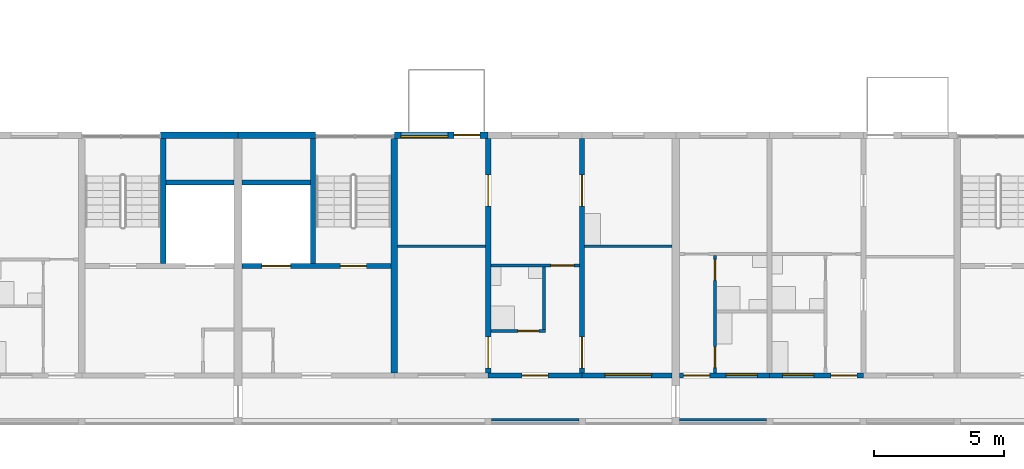
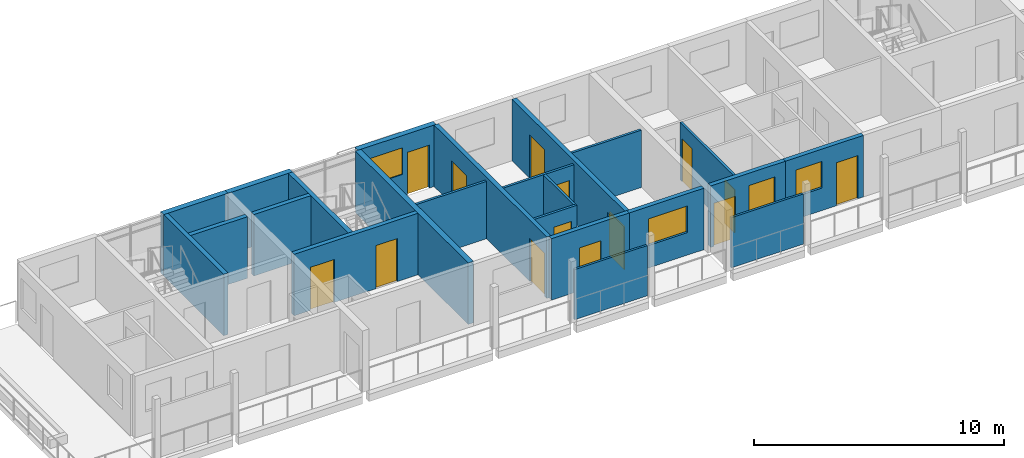
# One storey, part 41 of 78: 23 walls, 14 doors, 4 windows, 18 openings.
"""IFC4 building model written with IfcOpenShell, lengths in metres."""

from ifc_helpers import new_model, si_unit, direction, frame, frame_2d, origin, place, context, subcontext, project, spatial, rectangle, extrude, material, layer, layer_set, type_object, element, fill, save


model = new_model("IFC4")

# Units and contexts
model_context = context("Model", 3, precision=1e-05, world=origin(), true_north=direction((0.0, 1.0)))
body_context = subcontext(model_context, "Body", "Model", "MODEL_VIEW")
ifc_project = project(units=[si_unit("LENGTHUNIT", "METRE"), si_unit("AREAUNIT", "SQUARE_METRE"), si_unit("VOLUMEUNIT", "CUBIC_METRE"), si_unit("PLANEANGLEUNIT", "RADIAN"), si_unit("MASSUNIT", "GRAM", prefix="KILO")], contexts=[model_context])

# Site, building, storey
site_placement = place(None, origin())
site = spatial("IfcSite", under=ifc_project, at=site_placement, CompositionType="ELEMENT")
building_placement = place(site_placement, origin())
building = spatial("IfcBuilding", under=site, at=building_placement, Name="Ridgestep Commons", CompositionType="ELEMENT")
storey_placement = place(building_placement, frame((0.0, 0.0, 30.0)))
storey = spatial("IfcBuildingStorey", under=building, at=storey_placement, Name="L10", CompositionType="ELEMENT", Elevation=30.0)

# Walls
ifc_material_1 = material(Name="Concrete C30/37", Category="concrete")
ifc_layer_1 = layer(ifc_material_1, 0.25)
ifc_layer_set_1 = layer_set([ifc_layer_1], Name="Core cross wall 250")
wall_type_1 = type_object("IfcWallType", Name="Core cross wall 250", PredefinedType="SHEAR", material=ifc_layer_set_1)
wall_1_placement = place(storey_placement, frame((169.60009765625, 13.75, 0.0), z_axis=(0.0, 0.0, 1.0), x_axis=(0.0, 1.0, 0.0)))
element("IfcWall", 1, at=wall_1_placement, inside=storey, type_object=wall_type_1, Name="Cross wall D-10-1696", PredefinedType="SHEAR", context=body_context, shape_type="SweptSolid", body=[
    extrude(rectangle(XDim=9.0, YDim=0.25, at=frame_2d((4.5, 0.0))), origin(), (0.0, 0.0, 1.0), 3.0),
])
ifc_material_2 = material(Name="Concrete C30/37", Category="concrete")
ifc_layer_2 = layer(ifc_material_2, 0.199951171875)
ifc_layer_set_2 = layer_set([ifc_layer_2], Name="Core wall 200")
wall_type_2 = type_object("IfcWallType", Name="Core wall 200", PredefinedType="SHEAR", material=ifc_layer_set_2)
wall_2_placement = place(storey_placement, frame((160.72509765625, 17.949951171875, 0.0), z_axis=(0.0, 0.0, 1.0), x_axis=(0.0, 1.0, 0.0)))
element("IfcWall", 2, at=wall_2_placement, inside=storey, type_object=wall_type_2, Name="Core stair wall D1C L10", PredefinedType="SHEAR", context=body_context, shape_type="SweptSolid", body=[
    extrude(rectangle(XDim=4.800048828125, YDim=0.199951171875, at=frame_2d((2.39990234375, 0.0))), origin(), (0.0, 0.0, 1.0), 3.0),
])
wall_3_placement = place(storey_placement, frame((160.824951171875, 21.050048828125, 0.0), z_axis=(0.0, 0.0, 1.0), x_axis=(1.0, 0.0, 0.0)))
element("IfcWall", 3, at=wall_3_placement, inside=storey, type_object=wall_type_2, Name="Core duct wall D1C L10", PredefinedType="SHEAR", context=body_context, shape_type="SweptSolid", body=[
    extrude(rectangle(XDim=2.625, YDim=0.199951171875, at=frame_2d((1.3125, 0.0))), origin(), (0.0, 0.0, 1.0), 3.0),
])

# Wall, openings, doors
wall_4_placement = place(storey_placement, frame((163.75, 17.85009765625, 0.0), z_axis=(0.0, 0.0, 1.0), x_axis=(1.0, 0.0, 0.0)))
wall_4 = element("IfcWall", 4, at=wall_4_placement, inside=storey, type_object=wall_type_2, Name="Core lobby wall D2C L10", PredefinedType="SHEAR", context=body_context, shape_type="SweptSolid", body=[
    extrude(rectangle(XDim=5.72509765625, YDim=0.199951171875, at=frame_2d((2.862548828125, 0.0))), origin(), (0.0, 0.0, 1.0), 3.0),
])
opening_1_placement = place(wall_4_placement, frame((3.77490234375, 0.0, 0.0)))
opening_1 = element("IfcOpeningElement", 5, at=opening_1_placement, cuts=wall_4, Name="Opening D2C/10/2", PredefinedType="OPENING", context=body_context, shape_type="SweptSolid", body=[
    extrude(rectangle(XDim=1.0, YDim=2.10009765625, at=frame_2d((0.5, 1.050048828125))), frame((0.0, 0.10986328125, 0.0), z_axis=(0.0, -1.0, 0.0), x_axis=(1.0, 0.0, 0.0)), (0.0, 0.0, 1.0), 0.219970703125),
])
opening_2_placement = place(wall_4_placement, frame((0.762451171875, 0.0, 0.0)))
opening_2 = element("IfcOpeningElement", 6, at=opening_2_placement, cuts=wall_4, Name="Opening D2C/10/3", PredefinedType="OPENING", context=body_context, shape_type="SweptSolid", body=[
    extrude(rectangle(XDim=1.10009765625, YDim=2.10009765625, at=frame_2d((0.550048828125, 1.050048828125))), frame((0.0, 0.10986328125, 0.0), z_axis=(0.0, -1.0, 0.0), x_axis=(1.0, 0.0, 0.0)), (0.0, 0.0, 1.0), 0.219970703125),
])
ifc_material_3 = material(Name="Stainless steel", Category="steel")
door_type_1 = type_object("IfcDoorType", Name="Lift landing door 1100 x 2100 FD60", OperationType="DOUBLE_DOOR_SLIDING", PredefinedType="DOOR", material=ifc_material_3)
door_1_placement = place(opening_2_placement, origin())
door_1 = element("IfcDoor", 7, at=door_1_placement, inside=storey, type_object=door_type_1, Name="Landing door LD D2C L10", OperationType="DOUBLE_DOOR_SLIDING", OverallHeight=2.10009765625, OverallWidth=1.10009765625, PredefinedType="DOOR", context=body_context, shape_type="SweptSolid", body=[
    extrude(rectangle(XDim=1.10009765625, YDim=2.10009765625, at=frame_2d((0.550048828125, 1.050048828125))), frame((0.0, 0.02490234375, 0.0), z_axis=(0.0, -1.0, 0.0), x_axis=(1.0, 0.0, 0.0)), (0.0, 0.0, 1.0), 0.050048828125),
])
fill(opening_2, door_1)
ifc_material_4 = material(Name="Steel fire door", Category="steel")
door_type_2 = type_object("IfcDoorType", Name="Stair door 1000 x 2100 FD60", OperationType="NOTDEFINED", PredefinedType="DOOR", material=ifc_material_4)
door_2_placement = place(opening_1_placement, origin())
door_2 = element("IfcDoor", 8, at=door_2_placement, inside=storey, type_object=door_type_2, Name="Stair door D2C/10/2", OperationType="SINGLE_SWING_RIGHT", OverallHeight=2.10009765625, OverallWidth=1.0, PredefinedType="DOOR", context=body_context, shape_type="SweptSolid", body=[
    extrude(rectangle(XDim=1.0, YDim=2.10009765625, at=frame_2d((0.5, 1.050048828125))), frame((0.0, 0.02490234375, 0.0), z_axis=(0.0, -1.0, 0.0), x_axis=(1.0, 0.0, 0.0)), (0.0, 0.0, 1.0), 0.050048828125),
])
fill(opening_1, door_2)

# Walls
wall_5_placement = place(storey_placement, frame((166.47509765625, 17.949951171875, 0.0), z_axis=(0.0, 0.0, 1.0), x_axis=(0.0, 1.0, 0.0)))
element("IfcWall", 9, at=wall_5_placement, inside=storey, type_object=wall_type_2, Name="Core stair wall D2C L10", PredefinedType="SHEAR", context=body_context, shape_type="SweptSolid", body=[
    extrude(rectangle(XDim=4.800048828125, YDim=0.199951171875, at=frame_2d((2.39990234375, 0.0))), origin(), (0.0, 0.0, 1.0), 3.0),
])
wall_6_placement = place(storey_placement, frame((163.75, 21.050048828125, 0.0), z_axis=(0.0, 0.0, 1.0), x_axis=(1.0, 0.0, 0.0)))
element("IfcWall", 10, at=wall_6_placement, inside=storey, type_object=wall_type_2, Name="Core duct wall D2C L10", PredefinedType="SHEAR", context=body_context, shape_type="SweptSolid", body=[
    extrude(rectangle(XDim=2.625, YDim=0.199951171875, at=frame_2d((1.3125, 0.0))), origin(), (0.0, 0.0, 1.0), 3.0),
])

# Wall, openings, doors
ifc_material_5 = material(Name="Precast concrete C40/50", Category="concrete")
ifc_layer_3 = layer(ifc_material_5, 0.199951171875)
ifc_layer_set_3 = layer_set([ifc_layer_3], Name="Cross wall 200")
wall_type_3 = type_object("IfcWallType", Name="Cross wall 200", PredefinedType="SHEAR", material=ifc_layer_set_3)
wall_7_placement = place(storey_placement, frame((173.199951171875, 13.75, 0.0), z_axis=(0.0, 0.0, 1.0), x_axis=(0.0, 1.0, 0.0)))
wall_7 = element("IfcWall", 11, at=wall_7_placement, inside=storey, type_object=wall_type_3, Name="Cross wall D-10-1732", PredefinedType="SHEAR", context=body_context, shape_type="SweptSolid", body=[
    extrude(rectangle(XDim=9.0, YDim=0.199951171875, at=frame_2d((4.5, 0.0))), origin(), (0.0, 0.0, 1.0), 3.0),
])
opening_3_placement = place(wall_7_placement, frame((0.175048828125, 0.0, 0.0)))
opening_3 = element("IfcOpeningElement", 12, at=opening_3_placement, cuts=wall_7, Name="Opening D2-10a/4", PredefinedType="OPENING", context=body_context, shape_type="SweptSolid", body=[
    extrude(rectangle(XDim=1.199951171875, YDim=2.10009765625, at=frame_2d((0.60009765625, 1.050048828125))), frame((0.0, 0.10986328125, 0.0), z_axis=(0.0, -1.0, 0.0), x_axis=(1.0, 0.0, 0.0)), (0.0, 0.0, 1.0), 0.219970703125),
])
opening_4_placement = place(wall_7_placement, frame((6.39990234375, 0.0, 0.0)))
opening_4 = element("IfcOpeningElement", 13, at=opening_4_placement, cuts=wall_7, Name="Opening D2-10a/5", PredefinedType="OPENING", context=body_context, shape_type="SweptSolid", body=[
    extrude(rectangle(XDim=1.199951171875, YDim=2.10009765625, at=frame_2d((0.60009765625, 1.050048828125))), frame((0.0, 0.10986328125, 0.0), z_axis=(0.0, -1.0, 0.0), x_axis=(1.0, 0.0, 0.0)), (0.0, 0.0, 1.0), 0.219970703125),
])
ifc_material_6 = material(Name="Timber door leaf", Category="wood")
door_type_3 = type_object("IfcDoorType", Name="Double door 1200 x 2100", OperationType="DOUBLE_DOOR_SINGLE_SWING", PredefinedType="DOOR", material=ifc_material_6)
door_3_placement = place(opening_3_placement, origin())
door_3 = element("IfcDoor", 14, at=door_3_placement, inside=storey, type_object=door_type_3, Name="Double door D2-10a/4", OperationType="DOUBLE_DOOR_SINGLE_SWING", OverallHeight=2.10009765625, OverallWidth=1.199951171875, PredefinedType="DOOR", context=body_context, shape_type="SweptSolid", body=[
    extrude(rectangle(XDim=1.199951171875, YDim=2.10009765625, at=frame_2d((0.60009765625, 1.050048828125))), frame((0.0, 0.02490234375, 0.0), z_axis=(0.0, -1.0, 0.0), x_axis=(1.0, 0.0, 0.0)), (0.0, 0.0, 1.0), 0.050048828125),
])
fill(opening_3, door_3)
door_4_placement = place(opening_4_placement, origin())
door_4 = element("IfcDoor", 15, at=door_4_placement, inside=storey, type_object=door_type_3, Name="Double door D2-10a/5", OperationType="DOUBLE_DOOR_SINGLE_SWING", OverallHeight=2.10009765625, OverallWidth=1.199951171875, PredefinedType="DOOR", context=body_context, shape_type="SweptSolid", body=[
    extrude(rectangle(XDim=1.199951171875, YDim=2.10009765625, at=frame_2d((0.60009765625, 1.050048828125))), frame((0.0, 0.02490234375, 0.0), z_axis=(0.0, -1.0, 0.0), x_axis=(1.0, 0.0, 0.0)), (0.0, 0.0, 1.0), 0.050048828125),
])
fill(opening_4, door_4)

wall_8_placement = place(storey_placement, frame((176.800048828125, 13.75, 0.0), z_axis=(0.0, 0.0, 1.0), x_axis=(0.0, 1.0, 0.0)))
wall_8 = element("IfcWall", 16, at=wall_8_placement, inside=storey, type_object=wall_type_3, Name="Cross wall D-10-1768", PredefinedType="SHEAR", context=body_context, shape_type="SweptSolid", body=[
    extrude(rectangle(XDim=9.0, YDim=0.199951171875, at=frame_2d((4.5, 0.0))), origin(), (0.0, 0.0, 1.0), 3.0),
])
opening_5_placement = place(wall_8_placement, frame((0.175048828125, 0.0, 0.0)))
opening_5 = element("IfcOpeningElement", 17, at=opening_5_placement, cuts=wall_8, Name="Opening D2-10a/6", PredefinedType="OPENING", context=body_context, shape_type="SweptSolid", body=[
    extrude(rectangle(XDim=1.199951171875, YDim=2.10009765625, at=frame_2d((0.60009765625, 1.050048828125))), frame((0.0, 0.10986328125, 0.0), z_axis=(0.0, -1.0, 0.0), x_axis=(1.0, 0.0, 0.0)), (0.0, 0.0, 1.0), 0.219970703125),
])
opening_6_placement = place(wall_8_placement, frame((6.39990234375, 0.0, 0.0)))
opening_6 = element("IfcOpeningElement", 18, at=opening_6_placement, cuts=wall_8, Name="Opening D2-10a/7", PredefinedType="OPENING", context=body_context, shape_type="SweptSolid", body=[
    extrude(rectangle(XDim=1.199951171875, YDim=2.10009765625, at=frame_2d((0.60009765625, 1.050048828125))), frame((0.0, 0.10986328125, 0.0), z_axis=(0.0, -1.0, 0.0), x_axis=(1.0, 0.0, 0.0)), (0.0, 0.0, 1.0), 0.219970703125),
])
door_5_placement = place(opening_5_placement, origin())
door_5 = element("IfcDoor", 19, at=door_5_placement, inside=storey, type_object=door_type_3, Name="Double door D2-10a/6", OperationType="DOUBLE_DOOR_SINGLE_SWING", OverallHeight=2.10009765625, OverallWidth=1.199951171875, PredefinedType="DOOR", context=body_context, shape_type="SweptSolid", body=[
    extrude(rectangle(XDim=1.199951171875, YDim=2.10009765625, at=frame_2d((0.60009765625, 1.050048828125))), frame((0.0, 0.02490234375, 0.0), z_axis=(0.0, -1.0, 0.0), x_axis=(1.0, 0.0, 0.0)), (0.0, 0.0, 1.0), 0.050048828125),
])
fill(opening_5, door_5)
door_6_placement = place(opening_6_placement, origin())
door_6 = element("IfcDoor", 20, at=door_6_placement, inside=storey, type_object=door_type_3, Name="Double door D2-10a/7", OperationType="DOUBLE_DOOR_SINGLE_SWING", OverallHeight=2.10009765625, OverallWidth=1.199951171875, PredefinedType="DOOR", context=body_context, shape_type="SweptSolid", body=[
    extrude(rectangle(XDim=1.199951171875, YDim=2.10009765625, at=frame_2d((0.60009765625, 1.050048828125))), frame((0.0, 0.02490234375, 0.0), z_axis=(0.0, -1.0, 0.0), x_axis=(1.0, 0.0, 0.0)), (0.0, 0.0, 1.0), 0.050048828125),
])
fill(opening_6, door_6)

# Walls
ifc_material_7 = material(Name="Precast concrete C40/50", Category="concrete")
ifc_layer_4 = layer(ifc_material_7, 0.25)
ifc_layer_set_4 = layer_set([ifc_layer_4], Name="North facade panel 250")
wall_type_4 = type_object("IfcWallType", Name="North facade panel 250", PredefinedType="SOLIDWALL", material=ifc_layer_set_4)
wall_9_placement = place(storey_placement, frame((160.625, 22.875, 0.0), z_axis=(0.0, 0.0, 1.0), x_axis=(1.0, 0.0, 0.0)))
element("IfcWall", 21, at=wall_9_placement, inside=storey, type_object=wall_type_4, Name="North panel D1C L10", PredefinedType="SOLIDWALL", context=body_context, shape_type="SweptSolid", body=[
    extrude(rectangle(XDim=2.97509765625, YDim=0.25, at=frame_2d((1.487548828125, 0.0))), origin(), (0.0, 0.0, 1.0), 3.0),
])
wall_10_placement = place(storey_placement, frame((163.60009765625, 22.875, 0.0), z_axis=(0.0, 0.0, 1.0), x_axis=(1.0, 0.0, 0.0)))
element("IfcWall", 22, at=wall_10_placement, inside=storey, type_object=wall_type_4, Name="North panel D2C L10", PredefinedType="SOLIDWALL", context=body_context, shape_type="SweptSolid", body=[
    extrude(rectangle(XDim=2.974853515625, YDim=0.25, at=frame_2d((1.4873046875, 0.0))), origin(), (0.0, 0.0, 1.0), 3.0),
])

# Wall, openings, door, window
wall_11_placement = place(storey_placement, frame((169.60009765625, 22.875, 0.0), z_axis=(0.0, 0.0, 1.0), x_axis=(1.0, 0.0, 0.0)))
wall_11 = element("IfcWall", 23, at=wall_11_placement, inside=storey, type_object=wall_type_4, Name="North panel D2T3 L10", PredefinedType="SOLIDWALL", context=body_context, shape_type="SweptSolid", body=[
    extrude(rectangle(XDim=3.599853515625, YDim=0.25, at=frame_2d((1.7998046875, 0.0))), origin(), (0.0, 0.0, 1.0), 3.0),
])
opening_7_placement = place(wall_11_placement, frame((0.25244140625, 0.0, 1.10009765625)))
opening_7 = element("IfcOpeningElement", 24, at=opening_7_placement, cuts=wall_11, Name="Opening W18", PredefinedType="OPENING", context=body_context, shape_type="SweptSolid", body=[
    extrude(rectangle(XDim=1.800048828125, YDim=1.300048828125, at=frame_2d((0.89990234375, 0.64990234375))), frame((0.0, 0.135009765625, 0.0), z_axis=(0.0, -1.0, 0.0), x_axis=(1.0, 0.0, 0.0)), (0.0, 0.0, 1.0), 0.27001953125),
])
opening_8_placement = place(wall_11_placement, frame((2.280029296875, 0.0, 0.0)))
opening_8 = element("IfcOpeningElement", 25, at=opening_8_placement, cuts=wall_11, Name="Opening D2-10a/8", PredefinedType="OPENING", context=body_context, shape_type="SweptSolid", body=[
    extrude(rectangle(XDim=1.0, YDim=2.10009765625, at=frame_2d((0.5, 1.050048828125))), frame((0.0, 0.135009765625, 0.0), z_axis=(0.0, -1.0, 0.0), x_axis=(1.0, 0.0, 0.0)), (0.0, 0.0, 1.0), 0.27001953125),
])
ifc_material_8 = material(Name="Aluminium and glass", Category="aluminium")
door_type_4 = type_object("IfcDoorType", Name="Balcony door 1000 x 2100", OperationType="NOTDEFINED", PredefinedType="DOOR", material=ifc_material_8)
door_7_placement = place(opening_8_placement, origin())
door_7 = element("IfcDoor", 26, at=door_7_placement, inside=storey, type_object=door_type_4, Name="Balcony door D2-10a/8", OperationType="SINGLE_SWING_LEFT", OverallHeight=2.10009765625, OverallWidth=1.0, PredefinedType="DOOR", context=body_context, shape_type="SweptSolid", body=[
    extrude(rectangle(XDim=1.0, YDim=2.10009765625, at=frame_2d((0.5, 1.050048828125))), frame((0.0, 0.02490234375, 0.0), z_axis=(0.0, -1.0, 0.0), x_axis=(1.0, 0.0, 0.0)), (0.0, 0.0, 1.0), 0.050048828125),
])
fill(opening_8, door_7)
ifc_material_9 = material(Name="Aluminium 6063-T6 and glass", Category="aluminium")
window_type_1 = type_object("IfcWindowType", Name="Flat window 1800 x 1300", PartitioningType="DOUBLE_PANEL_VERTICAL", PredefinedType="WINDOW", material=ifc_material_9)
window_1_placement = place(opening_7_placement, origin())
window_1 = element("IfcWindow", 27, at=window_1_placement, inside=storey, type_object=window_type_1, Name="Window D2-10a 2", OverallHeight=1.300048828125, OverallWidth=1.800048828125, PartitioningType="SINGLE_PANEL", PredefinedType="WINDOW", context=body_context, shape_type="SweptSolid", body=[
    extrude(rectangle(XDim=1.800048828125, YDim=1.300048828125, at=frame_2d((0.89990234375, 0.64990234375))), frame((0.0, -0.02490234375, 0.0), z_axis=(0.0, -1.0, 0.0), x_axis=(1.0, 0.0, 0.0)), (0.0, 0.0, 1.0), 0.06005859375),
])
fill(opening_7, window_1)

# Wall, opening, door
ifc_material_10 = material(Name="Common brick 110 mm", Category="masonry")
ifc_layer_5 = layer(ifc_material_10, 0.110107421875)
ifc_layer_set_5 = layer_set([ifc_layer_5], Name="Partition 110")
wall_type_5 = type_object("IfcWallType", Name="Partition 110", PredefinedType="PARTITIONING", material=ifc_layer_set_5)
wall_12_placement = place(storey_placement, frame((173.300048828125, 15.35498046875, 0.0), z_axis=(0.0, 0.0, 1.0), x_axis=(1.0, 0.0, 0.0)))
wall_12 = element("IfcWall", 28, at=wall_12_placement, inside=storey, type_object=wall_type_5, Name="Partition D2-10a", PredefinedType="PARTITIONING", context=body_context, shape_type="SweptSolid", body=[
    extrude(rectangle(XDim=2.099853515625, YDim=0.110107421875, at=frame_2d((1.0498046875, 0.0))), origin(), (0.0, 0.0, 1.0), 2.800048828125),
])
opening_9_placement = place(wall_12_placement, frame((1.0400390625, 0.0, 0.0)))
opening_9 = element("IfcOpeningElement", 29, at=opening_9_placement, cuts=wall_12, Name="Opening D2-10a/2", PredefinedType="OPENING", context=body_context, shape_type="SweptSolid", body=[
    extrude(rectangle(XDim=0.800048828125, YDim=2.10009765625, at=frame_2d((0.39990234375, 1.050048828125))), frame((0.0, 0.06494140625, 0.0), z_axis=(0.0, -1.0, 0.0), x_axis=(1.0, 0.0, 0.0)), (0.0, 0.0, 1.0), 0.130126953125),
])
ifc_material_11 = material(Name="Timber door leaf", Category="wood")
door_type_5 = type_object("IfcDoorType", Name="Internal door 800 x 2100", OperationType="NOTDEFINED", PredefinedType="DOOR", material=ifc_material_11)
door_8_placement = place(opening_9_placement, origin())
door_8 = element("IfcDoor", 30, at=door_8_placement, inside=storey, type_object=door_type_5, Name="Internal door D2-10a/2", OperationType="SINGLE_SWING_RIGHT", OverallHeight=2.10009765625, OverallWidth=0.800048828125, PredefinedType="DOOR", context=body_context, shape_type="SweptSolid", body=[
    extrude(rectangle(XDim=0.800048828125, YDim=2.10009765625, at=frame_2d((0.39990234375, 1.050048828125))), frame((0.0, 0.02490234375, 0.0), z_axis=(0.0, -1.0, 0.0), x_axis=(1.0, 0.0, 0.0)), (0.0, 0.0, 1.0), 0.050048828125),
])
fill(opening_9, door_8)

# Wall
wall_13_placement = place(storey_placement, frame((175.344970703125, 15.409912109375, 0.0), z_axis=(0.0, 0.0, 1.0), x_axis=(0.0, 1.0, 0.0)))
element("IfcWall", 31, at=wall_13_placement, inside=storey, type_object=wall_type_5, Name="Partition D2-10a", PredefinedType="PARTITIONING", context=body_context, shape_type="SweptSolid", body=[
    extrude(rectangle(XDim=2.400146484375, YDim=0.110107421875, at=frame_2d((1.2001953125, 0.0))), origin(), (0.0, 0.0, 1.0), 2.800048828125),
])

# Wall, opening, door
wall_14_placement = place(storey_placement, frame((173.300048828125, 17.864990234375, 0.0), z_axis=(0.0, 0.0, 1.0), x_axis=(1.0, 0.0, 0.0)))
wall_14 = element("IfcWall", 32, at=wall_14_placement, inside=storey, type_object=wall_type_5, Name="Partition D2-10a", PredefinedType="PARTITIONING", context=body_context, shape_type="SweptSolid", body=[
    extrude(rectangle(XDim=3.39990234375, YDim=0.110107421875, at=frame_2d((1.699951171875, 0.0))), origin(), (0.0, 0.0, 1.0), 2.800048828125),
])
opening_10_placement = place(wall_14_placement, frame((2.300048828125, 0.0, 0.0)))
opening_10 = element("IfcOpeningElement", 33, at=opening_10_placement, cuts=wall_14, Name="Opening D2-10a/3", PredefinedType="OPENING", context=body_context, shape_type="SweptSolid", body=[
    extrude(rectangle(XDim=0.89990234375, YDim=2.10009765625, at=frame_2d((0.449951171875, 1.050048828125))), frame((0.0, 0.06494140625, 0.0), z_axis=(0.0, -1.0, 0.0), x_axis=(1.0, 0.0, 0.0)), (0.0, 0.0, 1.0), 0.130126953125),
])
ifc_material_12 = material(Name="Timber door leaf", Category="wood")
door_type_6 = type_object("IfcDoorType", Name="Internal door 900 x 2100", OperationType="NOTDEFINED", PredefinedType="DOOR", material=ifc_material_12)
door_9_placement = place(opening_10_placement, origin())
door_9 = element("IfcDoor", 34, at=door_9_placement, inside=storey, type_object=door_type_6, Name="Internal door D2-10a/3", OperationType="SINGLE_SWING_LEFT", OverallHeight=2.10009765625, OverallWidth=0.89990234375, PredefinedType="DOOR", context=body_context, shape_type="SweptSolid", body=[
    extrude(rectangle(XDim=0.89990234375, YDim=2.10009765625, at=frame_2d((0.449951171875, 1.050048828125))), frame((0.0, 0.02490234375, 0.0), z_axis=(0.0, -1.0, 0.0), x_axis=(1.0, 0.0, 0.0)), (0.0, 0.0, 1.0), 0.050048828125),
])
fill(opening_10, door_9)

# Walls
wall_15_placement = place(storey_placement, frame((169.72509765625, 18.60498046875, 0.0), z_axis=(0.0, 0.0, 1.0), x_axis=(1.0, 0.0, 0.0)))
element("IfcWall", 35, at=wall_15_placement, inside=storey, type_object=wall_type_5, Name="Partition D2-10a", PredefinedType="PARTITIONING", context=body_context, shape_type="SweptSolid", body=[
    extrude(rectangle(XDim=3.375, YDim=0.110107421875, at=frame_2d((1.6875, 0.0))), origin(), (0.0, 0.0, 1.0), 2.800048828125),
])
wall_16_placement = place(storey_placement, frame((176.89990234375, 18.60498046875, 0.0), z_axis=(0.0, 0.0, 1.0), x_axis=(1.0, 0.0, 0.0)))
element("IfcWall", 36, at=wall_16_placement, inside=storey, type_object=wall_type_5, Name="Partition D2-10a", PredefinedType="PARTITIONING", context=body_context, shape_type="SweptSolid", body=[
    extrude(rectangle(XDim=3.35009765625, YDim=0.110107421875, at=frame_2d((1.675048828125, 0.0))), origin(), (0.0, 0.0, 1.0), 2.800048828125),
])

# Wall, openings, doors
wall_17_placement = place(storey_placement, frame((181.905029296875, 13.75, 0.0), z_axis=(0.0, 0.0, 1.0), x_axis=(0.0, 1.0, 0.0)))
wall_17 = element("IfcWall", 37, at=wall_17_placement, inside=storey, type_object=wall_type_5, Name="Partition D3-10a", PredefinedType="PARTITIONING", context=body_context, shape_type="SweptSolid", body=[
    extrude(rectangle(XDim=4.5, YDim=0.110107421875, at=frame_2d((2.25, 0.0))), origin(), (0.0, 0.0, 1.0), 2.800048828125),
])
opening_11_placement = place(wall_17_placement, frame((0.199951171875, 0.0, 0.0)))
opening_11 = element("IfcOpeningElement", 38, at=opening_11_placement, cuts=wall_17, Name="Opening D3-10a/2", PredefinedType="OPENING", context=body_context, shape_type="SweptSolid", body=[
    extrude(rectangle(XDim=0.800048828125, YDim=2.10009765625, at=frame_2d((0.39990234375, 1.050048828125))), frame((0.0, 0.06494140625, 0.0), z_axis=(0.0, -1.0, 0.0), x_axis=(1.0, 0.0, 0.0)), (0.0, 0.0, 1.0), 0.130126953125),
])
opening_12_placement = place(wall_17_placement, frame((3.550048828125, 0.0, 0.0)))
opening_12 = element("IfcOpeningElement", 39, at=opening_12_placement, cuts=wall_17, Name="Opening D3-10a/3", PredefinedType="OPENING", context=body_context, shape_type="SweptSolid", body=[
    extrude(rectangle(XDim=0.800048828125, YDim=2.10009765625, at=frame_2d((0.39990234375, 1.050048828125))), frame((0.0, 0.06494140625, 0.0), z_axis=(0.0, -1.0, 0.0), x_axis=(1.0, 0.0, 0.0)), (0.0, 0.0, 1.0), 0.130126953125),
])
door_10_placement = place(opening_11_placement, origin())
door_10 = element("IfcDoor", 40, at=door_10_placement, inside=storey, type_object=door_type_5, Name="Internal door D3-10a/2", OperationType="SINGLE_SWING_RIGHT", OverallHeight=2.10009765625, OverallWidth=0.800048828125, PredefinedType="DOOR", context=body_context, shape_type="SweptSolid", body=[
    extrude(rectangle(XDim=0.800048828125, YDim=2.10009765625, at=frame_2d((0.39990234375, 1.050048828125))), frame((0.0, 0.02490234375, 0.0), z_axis=(0.0, -1.0, 0.0), x_axis=(1.0, 0.0, 0.0)), (0.0, 0.0, 1.0), 0.050048828125),
])
fill(opening_11, door_10)
door_11_placement = place(opening_12_placement, origin())
door_11 = element("IfcDoor", 41, at=door_11_placement, inside=storey, type_object=door_type_5, Name="Internal door D3-10a/3", OperationType="SINGLE_SWING_LEFT", OverallHeight=2.10009765625, OverallWidth=0.800048828125, PredefinedType="DOOR", context=body_context, shape_type="SweptSolid", body=[
    extrude(rectangle(XDim=0.800048828125, YDim=2.10009765625, at=frame_2d((0.39990234375, 1.050048828125))), frame((0.0, 0.02490234375, 0.0), z_axis=(0.0, -1.0, 0.0), x_axis=(1.0, 0.0, 0.0)), (0.0, 0.0, 1.0), 0.050048828125),
])
fill(opening_12, door_11)

# Walls
ifc_material_13 = material(Name="Precast concrete C30/37", Category="concrete")
ifc_layer_6 = layer(ifc_material_13, 0.10009765625)
ifc_layer_set_6 = layer_set([ifc_layer_6], Name="Perforated gallery screen 3325 x 2450 x 100")
wall_type_6 = type_object("IfcWallType", Name="Perforated gallery screen 3325 x 2450 x 100", PredefinedType="SOLIDWALL", material=ifc_layer_set_6)
wall_18_placement = place(storey_placement, frame((180.550048828125, 11.949951171875, 0.0), z_axis=(0.0, 0.0, 1.0), x_axis=(1.0, 0.0, 0.0)))
element("IfcWall", 42, at=wall_18_placement, inside=storey, type_object=wall_type_6, Name="Gallery screen D3T1 10", PredefinedType="SOLIDWALL", context=body_context, shape_type="SweptSolid", body=[
    extrude(rectangle(XDim=3.324951171875, YDim=0.10009765625, at=frame_2d((1.66259765625, 0.0))), origin(), (0.0, 0.0, 1.0), 2.449951171875),
])
ifc_material_14 = material(Name="Precast concrete C30/37", Category="concrete")
ifc_layer_7 = layer(ifc_material_14, 0.10009765625)
ifc_layer_set_7 = layer_set([ifc_layer_7], Name="Perforated gallery screen 3350 x 2450 x 100")
wall_type_7 = type_object("IfcWallType", Name="Perforated gallery screen 3350 x 2450 x 100", PredefinedType="SOLIDWALL", material=ifc_layer_set_7)
wall_19_placement = place(storey_placement, frame((173.324951171875, 11.949951171875, 0.0), z_axis=(0.0, 0.0, 1.0), x_axis=(1.0, 0.0, 0.0)))
element("IfcWall", 43, at=wall_19_placement, inside=storey, type_object=wall_type_7, Name="Gallery screen D2T2 10", PredefinedType="SOLIDWALL", context=body_context, shape_type="SweptSolid", body=[
    extrude(rectangle(XDim=3.35009765625, YDim=0.10009765625, at=frame_2d((1.675048828125, 0.0))), origin(), (0.0, 0.0, 1.0), 2.449951171875),
])

# Wall, opening, door
ifc_material_15 = material(Name="Precast concrete C40/50", Category="concrete")
ifc_layer_8 = layer(ifc_material_15, 0.199951171875)
ifc_layer_set_8 = layer_set([ifc_layer_8], Name="South facade panel 200")
wall_type_8 = type_object("IfcWallType", Name="South facade panel 200", PredefinedType="SOLIDWALL", material=ifc_layer_set_8)
wall_20_placement = place(storey_placement, frame((173.199951171875, 13.64990234375, 0.0), z_axis=(0.0, 0.0, 1.0), x_axis=(1.0, 0.0, 0.0)))
wall_20 = element("IfcWall", 44, at=wall_20_placement, inside=storey, type_object=wall_type_8, Name="South panel D2T2 L10", PredefinedType="SOLIDWALL", context=body_context, shape_type="SweptSolid", body=[
    extrude(rectangle(XDim=3.60009765625, YDim=0.199951171875, at=frame_2d((1.800048828125, 0.0))), origin(), (0.0, 0.0, 1.0), 3.0),
])
opening_13_placement = place(wall_20_placement, frame((1.300048828125, 0.0, 0.0)))
opening_13 = element("IfcOpeningElement", 45, at=opening_13_placement, cuts=wall_20, Name="Opening D2-10a/1", PredefinedType="OPENING", context=body_context, shape_type="SweptSolid", body=[
    extrude(rectangle(XDim=1.0, YDim=2.10009765625, at=frame_2d((0.5, 1.050048828125))), frame((0.0, 0.10986328125, 0.0), z_axis=(0.0, -1.0, 0.0), x_axis=(1.0, 0.0, 0.0)), (0.0, 0.0, 1.0), 0.219970703125),
])
ifc_material_16 = material(Name="Timber door leaf", Category="wood")
door_type_7 = type_object("IfcDoorType", Name="Flat entrance door 1000 x 2100 FD30S", OperationType="NOTDEFINED", PredefinedType="DOOR", material=ifc_material_16)
door_12_placement = place(opening_13_placement, origin())
door_12 = element("IfcDoor", 46, at=door_12_placement, inside=storey, type_object=door_type_7, Name="Flat entrance door D2-10a/1", OperationType="SINGLE_SWING_RIGHT", OverallHeight=2.10009765625, OverallWidth=1.0, PredefinedType="DOOR", context=body_context, shape_type="SweptSolid", body=[
    extrude(rectangle(XDim=1.0, YDim=2.10009765625, at=frame_2d((0.5, 1.050048828125))), frame((0.0, 0.02490234375, 0.0), z_axis=(0.0, -1.0, 0.0), x_axis=(1.0, 0.0, 0.0)), (0.0, 0.0, 1.0), 0.050048828125),
])
fill(opening_13, door_12)

# Wall, opening, window
wall_21_placement = place(storey_placement, frame((176.800048828125, 13.64990234375, 0.0), z_axis=(0.0, 0.0, 1.0), x_axis=(1.0, 0.0, 0.0)))
wall_21 = element("IfcWall", 47, at=wall_21_placement, inside=storey, type_object=wall_type_8, Name="South panel D2T1 L10", PredefinedType="SOLIDWALL", context=body_context, shape_type="SweptSolid", body=[
    extrude(rectangle(XDim=3.449951171875, YDim=0.199951171875, at=frame_2d((1.72509765625, 0.0))), origin(), (0.0, 0.0, 1.0), 3.0),
])
opening_14_placement = place(wall_21_placement, frame((0.875, 0.0, 1.10009765625)))
opening_14 = element("IfcOpeningElement", 48, at=opening_14_placement, cuts=wall_21, Name="Opening W18", PredefinedType="OPENING", context=body_context, shape_type="SweptSolid", body=[
    extrude(rectangle(XDim=1.800048828125, YDim=1.300048828125, at=frame_2d((0.89990234375, 0.64990234375))), frame((0.0, 0.10986328125, 0.0), z_axis=(0.0, -1.0, 0.0), x_axis=(1.0, 0.0, 0.0)), (0.0, 0.0, 1.0), 0.219970703125),
])
window_2_placement = place(opening_14_placement, origin())
window_2 = element("IfcWindow", 49, at=window_2_placement, inside=storey, type_object=window_type_1, Name="Window D2-10a 3", OverallHeight=1.300048828125, OverallWidth=1.800048828125, PartitioningType="SINGLE_PANEL", PredefinedType="WINDOW", context=body_context, shape_type="SweptSolid", body=[
    extrude(rectangle(XDim=1.800048828125, YDim=1.300048828125, at=frame_2d((0.89990234375, 0.64990234375))), frame((0.0, 0.06005859375, 0.0), z_axis=(0.0, -1.0, 0.0), x_axis=(1.0, 0.0, 0.0)), (0.0, 0.0, 1.0), 0.06005859375),
])
fill(opening_14, window_2)

# Wall, openings, door, window
wall_22_placement = place(storey_placement, frame((180.550048828125, 13.64990234375, 0.0), z_axis=(0.0, 0.0, 1.0), x_axis=(1.0, 0.0, 0.0)))
wall_22 = element("IfcWall", 50, at=wall_22_placement, inside=storey, type_object=wall_type_8, Name="South panel D3T1 L10", PredefinedType="SOLIDWALL", context=body_context, shape_type="SweptSolid", body=[
    extrude(rectangle(XDim=3.449951171875, YDim=0.199951171875, at=frame_2d((1.72509765625, 0.0))), origin(), (0.0, 0.0, 1.0), 3.0),
])
opening_15_placement = place(wall_22_placement, frame((1.780029296875, 0.0, 1.10009765625)))
opening_15 = element("IfcOpeningElement", 51, at=opening_15_placement, cuts=wall_22, Name="Opening W08", PredefinedType="OPENING", context=body_context, shape_type="SweptSolid", body=[
    extrude(rectangle(XDim=1.199951171875, YDim=1.300048828125, at=frame_2d((0.60009765625, 0.64990234375))), frame((0.0, 0.10986328125, 0.0), z_axis=(0.0, -1.0, 0.0), x_axis=(1.0, 0.0, 0.0)), (0.0, 0.0, 1.0), 0.219970703125),
])
opening_16_placement = place(wall_22_placement, frame((0.14990234375, 0.0, 0.0)))
opening_16 = element("IfcOpeningElement", 52, at=opening_16_placement, cuts=wall_22, Name="Opening D3-10a/1", PredefinedType="OPENING", context=body_context, shape_type="SweptSolid", body=[
    extrude(rectangle(XDim=1.0, YDim=2.10009765625, at=frame_2d((0.5, 1.050048828125))), frame((0.0, 0.10986328125, 0.0), z_axis=(0.0, -1.0, 0.0), x_axis=(1.0, 0.0, 0.0)), (0.0, 0.0, 1.0), 0.219970703125),
])
door_13_placement = place(opening_16_placement, origin())
door_13 = element("IfcDoor", 53, at=door_13_placement, inside=storey, type_object=door_type_7, Name="Flat entrance door D3-10a/1", OperationType="SINGLE_SWING_LEFT", OverallHeight=2.10009765625, OverallWidth=1.0, PredefinedType="DOOR", context=body_context, shape_type="SweptSolid", body=[
    extrude(rectangle(XDim=1.0, YDim=2.10009765625, at=frame_2d((0.5, 1.050048828125))), frame((0.0, 0.02490234375, 0.0), z_axis=(0.0, -1.0, 0.0), x_axis=(1.0, 0.0, 0.0)), (0.0, 0.0, 1.0), 0.050048828125),
])
fill(opening_16, door_13)
ifc_material_17 = material(Name="Aluminium 6063-T6 and glass", Category="aluminium")
window_type_2 = type_object("IfcWindowType", Name="Flat window 1200 x 1300", PartitioningType="SINGLE_PANEL", PredefinedType="WINDOW", material=ifc_material_17)
window_3_placement = place(opening_15_placement, origin())
window_3 = element("IfcWindow", 54, at=window_3_placement, inside=storey, type_object=window_type_2, Name="Window D3-10a 1", OverallHeight=1.300048828125, OverallWidth=1.199951171875, PartitioningType="SINGLE_PANEL", PredefinedType="WINDOW", context=body_context, shape_type="SweptSolid", body=[
    extrude(rectangle(XDim=1.199951171875, YDim=1.300048828125, at=frame_2d((0.60009765625, 0.64990234375))), frame((0.0, 0.06005859375, 0.0), z_axis=(0.0, -1.0, 0.0), x_axis=(1.0, 0.0, 0.0)), (0.0, 0.0, 1.0), 0.06005859375),
])
fill(opening_15, window_3)

wall_23_placement = place(storey_placement, frame((184.0, 13.64990234375, 0.0), z_axis=(0.0, 0.0, 1.0), x_axis=(1.0, 0.0, 0.0)))
wall_23 = element("IfcWall", 55, at=wall_23_placement, inside=storey, type_object=wall_type_8, Name="South panel D3T2 L10", PredefinedType="SOLIDWALL", context=body_context, shape_type="SweptSolid", body=[
    extrude(rectangle(XDim=3.60009765625, YDim=0.199951171875, at=frame_2d((1.800048828125, 0.0))), origin(), (0.0, 0.0, 1.0), 3.0),
])
opening_17_placement = place(wall_23_placement, frame((0.4951171875, 0.0, 1.10009765625)))
opening_17 = element("IfcOpeningElement", 56, at=opening_17_placement, cuts=wall_23, Name="Opening W08", PredefinedType="OPENING", context=body_context, shape_type="SweptSolid", body=[
    extrude(rectangle(XDim=1.199951171875, YDim=1.300048828125, at=frame_2d((0.60009765625, 0.64990234375))), frame((0.0, 0.10986328125, 0.0), z_axis=(0.0, -1.0, 0.0), x_axis=(1.0, 0.0, 0.0)), (0.0, 0.0, 1.0), 0.219970703125),
])
opening_18_placement = place(wall_23_placement, frame((2.35009765625, 0.0, 0.0)))
opening_18 = element("IfcOpeningElement", 57, at=opening_18_placement, cuts=wall_23, Name="Opening D3-10b/1", PredefinedType="OPENING", context=body_context, shape_type="SweptSolid", body=[
    extrude(rectangle(XDim=1.0, YDim=2.10009765625, at=frame_2d((0.5, 1.050048828125))), frame((0.0, 0.10986328125, 0.0), z_axis=(0.0, -1.0, 0.0), x_axis=(1.0, 0.0, 0.0)), (0.0, 0.0, 1.0), 0.219970703125),
])
door_14_placement = place(opening_18_placement, origin())
door_14 = element("IfcDoor", 58, at=door_14_placement, inside=storey, type_object=door_type_7, Name="Flat entrance door D3-10b/1", OperationType="SINGLE_SWING_RIGHT", OverallHeight=2.10009765625, OverallWidth=1.0, PredefinedType="DOOR", context=body_context, shape_type="SweptSolid", body=[
    extrude(rectangle(XDim=1.0, YDim=2.10009765625, at=frame_2d((0.5, 1.050048828125))), frame((0.0, 0.02490234375, 0.0), z_axis=(0.0, -1.0, 0.0), x_axis=(1.0, 0.0, 0.0)), (0.0, 0.0, 1.0), 0.050048828125),
])
fill(opening_18, door_14)
window_4_placement = place(opening_17_placement, origin())
window_4 = element("IfcWindow", 59, at=window_4_placement, inside=storey, type_object=window_type_2, Name="Window D3-10b 3", OverallHeight=1.300048828125, OverallWidth=1.199951171875, PartitioningType="SINGLE_PANEL", PredefinedType="WINDOW", context=body_context, shape_type="SweptSolid", body=[
    extrude(rectangle(XDim=1.199951171875, YDim=1.300048828125, at=frame_2d((0.60009765625, 0.64990234375))), frame((0.0, 0.06005859375, 0.0), z_axis=(0.0, -1.0, 0.0), x_axis=(1.0, 0.0, 0.0)), (0.0, 0.0, 1.0), 0.06005859375),
])
fill(opening_17, window_4)

save(model, "model.ifc")
